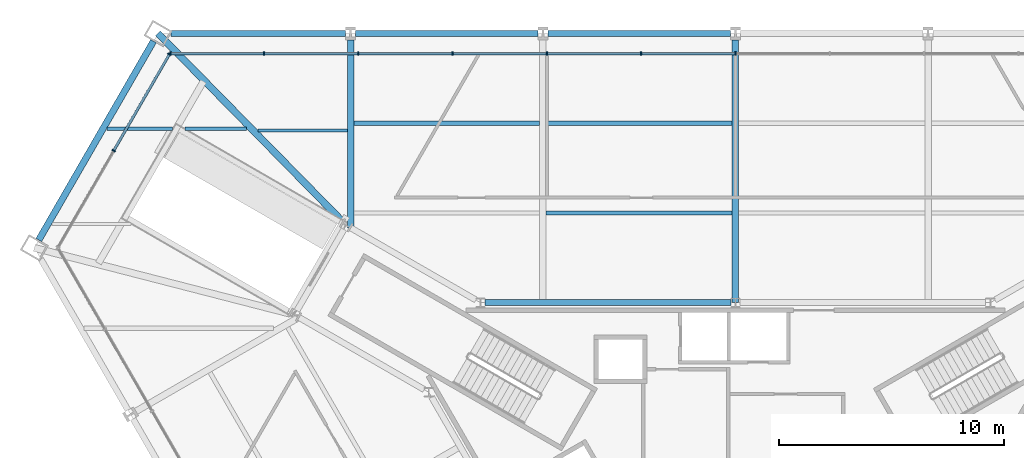
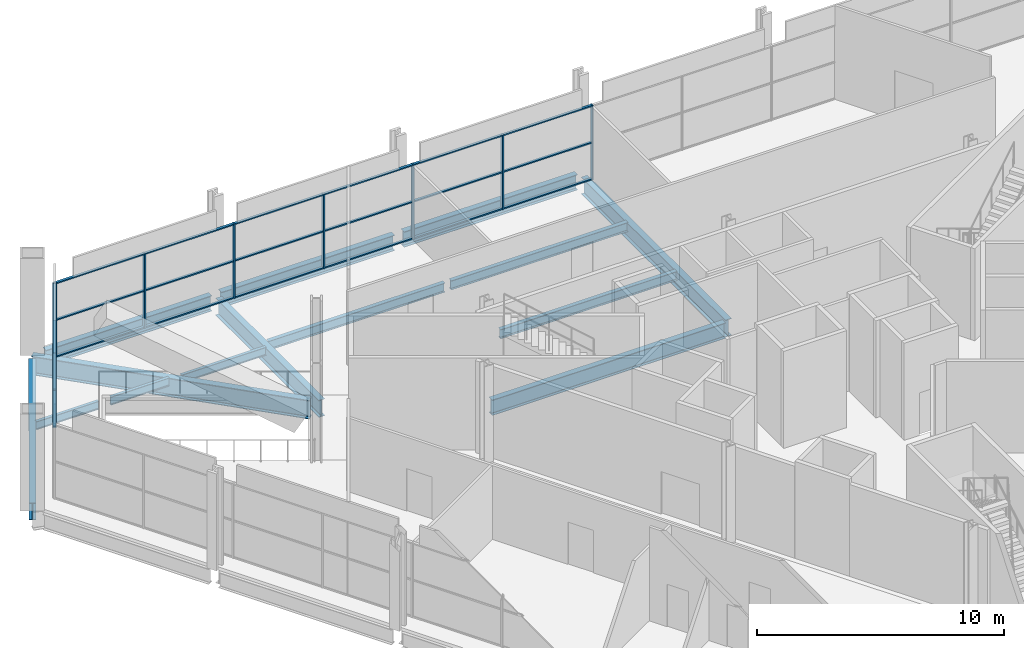
# One storey, part 7 of 18: 30 members, 14 beams, 2 elements without a shape of their own.
"""IFC4 building model written with IfcOpenShell, lengths in metres."""

from ifc_helpers import new_model, si_unit, direction, frame, origin, origin_2d, place, context, subcontext, project, spatial, rectangle, i_section, extrude, material, layer, layer_set, material_profile, profile_set, type_object, element, aggregate, save


model = new_model("IFC4")

# Units and contexts
model_context = context("Model", 3, precision=1e-05, world=origin(), true_north=direction((0.0, 1.0)))
body_context = subcontext(model_context, "Body", "Model", "MODEL_VIEW")
ifc_project = project(units=[si_unit("LENGTHUNIT", "METRE"), si_unit("AREAUNIT", "SQUARE_METRE"), si_unit("VOLUMEUNIT", "CUBIC_METRE"), si_unit("PLANEANGLEUNIT", "RADIAN"), si_unit("MASSUNIT", "GRAM", prefix="KILO")], contexts=[model_context])

# Site, building, storey
site_placement = place(None, origin())
site = spatial("IfcSite", under=ifc_project, at=site_placement, CompositionType="ELEMENT")
building_placement = place(site_placement, origin())
building = spatial("IfcBuilding", under=site, at=building_placement, Name="Verrane Prism Tower", CompositionType="ELEMENT")
storey_placement = place(building_placement, frame((0.0, 0.0, 22.39990234375)))
storey = spatial("IfcBuildingStorey", under=building, at=storey_placement, Name="L03", CompositionType="ELEMENT", Elevation=22.39990234375)

# Curtain wall, members
ifc_material_1 = material(Name="Aluminium and glass curtain wall", Category="aluminium")
ifc_layer = layer(ifc_material_1, 0.199951171875)
ifc_layer_set = layer_set([ifc_layer], Name="CWB-1 retail curtain wall")
curtain_wall_type = type_object("IfcCurtainWallType", Name="CWB-1 retail curtain wall", PredefinedType="NOTDEFINED", material=ifc_layer_set)
curtain_wall_1_placement = place(storey_placement, origin())
curtain_wall_1 = element("IfcCurtainWall", 1, at=curtain_wall_1_placement, inside=storey, type_object=curtain_wall_type, Name="Retail curtain wall L03 2", PredefinedType="NOTDEFINED")
ifc_material_2 = material(Name="Aluminium", Category="aluminium")
ifc_material_profile_1 = material_profile(ifc_material_2, rectangle(XDim=0.159912109375, YDim=0.06005859375, at=origin_2d()), Name="CWB-M 60x160 mullion")
ifc_profile_set_1 = profile_set([ifc_material_profile_1], Name="Aluminium")
member_type_1 = type_object("IfcMemberType", Name="CWB-M 60x160 mullion", PredefinedType="MULLION", material=ifc_profile_set_1)
member_1_placement = place(storey_placement, frame((0.0, 20.27001953125, 0.0), z_axis=(0.0, 0.0, 1.0), x_axis=(0.0, -1.0, 0.0)))
member_1 = element("IfcMember", 2, at=member_1_placement, type_object=member_type_1, Name="CWB32 mullion 7", PredefinedType="MULLION", context=body_context, shape_type="SweptSolid", body=[
    extrude(rectangle(XDim=0.159912109375, YDim=0.06005859375, at=origin_2d()), origin(), (0.0, 0.0, 1.0), 3.690185546875),
])
member_2_placement = place(storey_placement, frame((-4.19140625, 20.27001953125, 0.0), z_axis=(0.0, 0.0, 1.0), x_axis=(0.0, -1.0, 0.0)))
member_2 = element("IfcMember", 3, at=member_2_placement, type_object=member_type_1, Name="CWB32 mullion 8", PredefinedType="MULLION", context=body_context, shape_type="SweptSolid", body=[
    extrude(rectangle(XDim=0.159912109375, YDim=0.06005859375, at=origin_2d()), origin(), (0.0, 0.0, 1.0), 3.690185546875),
])
member_3_placement = place(storey_placement, frame((-8.382568359375, 20.27001953125, 0.0), z_axis=(0.0, 0.0, 1.0), x_axis=(0.0, -1.0, 0.0)))
member_3 = element("IfcMember", 4, at=member_3_placement, type_object=member_type_1, Name="CWB32 mullion 9", PredefinedType="MULLION", context=body_context, shape_type="SweptSolid", body=[
    extrude(rectangle(XDim=0.159912109375, YDim=0.06005859375, at=origin_2d()), origin(), (0.0, 0.0, 1.0), 3.690185546875),
])
member_4_placement = place(storey_placement, frame((-12.573974609375, 20.27001953125, 0.0), z_axis=(0.0, 0.0, 1.0), x_axis=(0.0, -1.0, 0.0)))
member_4 = element("IfcMember", 5, at=member_4_placement, type_object=member_type_1, Name="CWB32 mullion 10", PredefinedType="MULLION", context=body_context, shape_type="SweptSolid", body=[
    extrude(rectangle(XDim=0.159912109375, YDim=0.06005859375, at=origin_2d()), origin(), (0.0, 0.0, 1.0), 3.690185546875),
])
member_5_placement = place(storey_placement, frame((-16.76513671875, 20.27001953125, 0.0), z_axis=(0.0, 0.0, 1.0), x_axis=(0.0, -1.0, 0.0)))
member_5 = element("IfcMember", 6, at=member_5_placement, type_object=member_type_1, Name="CWB32 mullion 11", PredefinedType="MULLION", context=body_context, shape_type="SweptSolid", body=[
    extrude(rectangle(XDim=0.159912109375, YDim=0.06005859375, at=origin_2d()), origin(), (0.0, 0.0, 1.0), 3.690185546875),
])
member_6_placement = place(storey_placement, frame((-20.95654296875, 20.27001953125, 0.0), z_axis=(0.0, 0.0, 1.0), x_axis=(0.0, -1.0, 0.0)))
member_6 = element("IfcMember", 7, at=member_6_placement, type_object=member_type_1, Name="CWB32 mullion 12", PredefinedType="MULLION", context=body_context, shape_type="SweptSolid", body=[
    extrude(rectangle(XDim=0.159912109375, YDim=0.06005859375, at=origin_2d()), origin(), (0.0, 0.0, 1.0), 3.690185546875),
])
member_7_placement = place(storey_placement, frame((-25.117919921875, 20.27001953125, 0.0), z_axis=(0.0, 0.0, 1.0), x_axis=(0.0, -1.0, 0.0)))
member_7 = element("IfcMember", 8, at=member_7_placement, type_object=member_type_1, Name="CWB32 mullion 13", PredefinedType="MULLION", context=body_context, shape_type="SweptSolid", body=[
    extrude(rectangle(XDim=0.159912109375, YDim=0.06005859375, at=origin_2d()), origin(), (0.0, 0.0, 1.0), 3.690185546875),
])

curtain_wall_2_placement = place(storey_placement, origin())
curtain_wall_2 = element("IfcCurtainWall", 9, at=curtain_wall_2_placement, inside=storey, type_object=curtain_wall_type, Name="Retail curtain wall L03 3", PredefinedType="NOTDEFINED")
member_8_placement = place(storey_placement, frame((-25.162841796875, 20.244140625, 0.0), z_axis=(0.0, 0.0, 1.0), x_axis=(0.866025871, -0.499999190758, 0.0)))
member_8 = element("IfcMember", 10, at=member_8_placement, type_object=member_type_1, Name="CWB33 mullion 1", PredefinedType="MULLION", context=body_context, shape_type="SweptSolid", body=[
    extrude(rectangle(XDim=0.159912109375, YDim=0.06005859375, at=origin_2d()), origin(), (0.0, 0.0, 1.0), 3.690185546875),
])
member_9_placement = place(storey_placement, frame((-27.63818359375, 15.956787109375, 0.0), z_axis=(0.0, 0.0, 1.0), x_axis=(0.866025871, -0.499999190758, 0.0)))
member_9 = element("IfcMember", 11, at=member_9_placement, type_object=member_type_1, Name="CWB33 mullion 2", PredefinedType="MULLION", context=body_context, shape_type="SweptSolid", body=[
    extrude(rectangle(XDim=0.159912109375, YDim=0.06005859375, at=origin_2d()), origin(), (0.0, 0.0, 1.0), 3.690185546875),
])

# Member
ifc_material_3 = material(Name="Aluminium", Category="aluminium")
ifc_material_profile_2 = material_profile(ifc_material_3, rectangle(XDim=0.1201171875, YDim=0.06005859375, at=origin_2d()), Name="CWB-T 60x120 transom")
ifc_profile_set_2 = profile_set([ifc_material_profile_2], Name="Aluminium")
member_type_2 = type_object("IfcMemberType", Name="CWB-T 60x120 transom", PredefinedType="USERDEFINED", material=ifc_profile_set_2)
member_10_placement = place(storey_placement, frame((-0.030029296875, 20.27001953125, 0.030029296875), z_axis=(-1.0, 0.0, 0.0), x_axis=(0.0, -1.0, 0.0)))
member_10 = element("IfcMember", 12, at=member_10_placement, type_object=member_type_2, Name="CWB32 transom 7.1", ObjectType="TRANSOM", PredefinedType="USERDEFINED", context=body_context, shape_type="SweptSolid", body=[
    extrude(rectangle(XDim=0.1201171875, YDim=0.06005859375, at=origin_2d()), origin(), (0.0, 0.0, 1.0), 4.13134765625),
])

member_11_placement = place(storey_placement, frame((-0.030029296875, 20.27001953125, 1.84521484375), z_axis=(-1.0, 0.0, 0.0), x_axis=(0.0, -1.0, 0.0)))
member_11 = element("IfcMember", 13, at=member_11_placement, type_object=member_type_2, Name="CWB32 transom 7.2", ObjectType="TRANSOM", PredefinedType="USERDEFINED", context=body_context, shape_type="SweptSolid", body=[
    extrude(rectangle(XDim=0.1201171875, YDim=0.06005859375, at=origin_2d()), origin(), (0.0, 0.0, 1.0), 4.13134765625),
])

member_12_placement = place(storey_placement, frame((-0.030029296875, 20.27001953125, 3.66015625), z_axis=(-1.0, 0.0, 0.0), x_axis=(0.0, -1.0, 0.0)))
member_12 = element("IfcMember", 14, at=member_12_placement, type_object=member_type_2, Name="CWB32 transom 7.3", ObjectType="TRANSOM", PredefinedType="USERDEFINED", context=body_context, shape_type="SweptSolid", body=[
    extrude(rectangle(XDim=0.1201171875, YDim=0.06005859375, at=origin_2d()), origin(), (0.0, 0.0, 1.0), 4.13134765625),
])

member_13_placement = place(storey_placement, frame((-4.221435546875, 20.27001953125, 0.030029296875), z_axis=(-1.0, 0.0, 0.0), x_axis=(0.0, -1.0, 0.0)))
member_13 = element("IfcMember", 15, at=member_13_placement, type_object=member_type_2, Name="CWB32 transom 8.1", ObjectType="TRANSOM", PredefinedType="USERDEFINED", context=body_context, shape_type="SweptSolid", body=[
    extrude(rectangle(XDim=0.1201171875, YDim=0.06005859375, at=origin_2d()), origin(), (0.0, 0.0, 1.0), 4.131103515625),
])

member_14_placement = place(storey_placement, frame((-4.221435546875, 20.27001953125, 1.84521484375), z_axis=(-1.0, 0.0, 0.0), x_axis=(0.0, -1.0, 0.0)))
member_14 = element("IfcMember", 16, at=member_14_placement, type_object=member_type_2, Name="CWB32 transom 8.2", ObjectType="TRANSOM", PredefinedType="USERDEFINED", context=body_context, shape_type="SweptSolid", body=[
    extrude(rectangle(XDim=0.1201171875, YDim=0.06005859375, at=origin_2d()), origin(), (0.0, 0.0, 1.0), 4.131103515625),
])

member_15_placement = place(storey_placement, frame((-4.221435546875, 20.27001953125, 3.66015625), z_axis=(-1.0, 0.0, 0.0), x_axis=(0.0, -1.0, 0.0)))
member_15 = element("IfcMember", 17, at=member_15_placement, type_object=member_type_2, Name="CWB32 transom 8.3", ObjectType="TRANSOM", PredefinedType="USERDEFINED", context=body_context, shape_type="SweptSolid", body=[
    extrude(rectangle(XDim=0.1201171875, YDim=0.06005859375, at=origin_2d()), origin(), (0.0, 0.0, 1.0), 4.131103515625),
])

member_16_placement = place(storey_placement, frame((-8.41259765625, 20.27001953125, 0.030029296875), z_axis=(-1.0, 0.0, 0.0), x_axis=(0.0, -1.0, 0.0)))
member_16 = element("IfcMember", 18, at=member_16_placement, type_object=member_type_2, Name="CWB32 transom 9.1", ObjectType="TRANSOM", PredefinedType="USERDEFINED", context=body_context, shape_type="SweptSolid", body=[
    extrude(rectangle(XDim=0.1201171875, YDim=0.06005859375, at=origin_2d()), origin(), (0.0, 0.0, 1.0), 4.13134765625),
])

member_17_placement = place(storey_placement, frame((-8.41259765625, 20.27001953125, 1.84521484375), z_axis=(-1.0, 0.0, 0.0), x_axis=(0.0, -1.0, 0.0)))
member_17 = element("IfcMember", 19, at=member_17_placement, type_object=member_type_2, Name="CWB32 transom 9.2", ObjectType="TRANSOM", PredefinedType="USERDEFINED", context=body_context, shape_type="SweptSolid", body=[
    extrude(rectangle(XDim=0.1201171875, YDim=0.06005859375, at=origin_2d()), origin(), (0.0, 0.0, 1.0), 4.13134765625),
])

member_18_placement = place(storey_placement, frame((-8.41259765625, 20.27001953125, 3.66015625), z_axis=(-1.0, 0.0, 0.0), x_axis=(0.0, -1.0, 0.0)))
member_18 = element("IfcMember", 20, at=member_18_placement, type_object=member_type_2, Name="CWB32 transom 9.3", ObjectType="TRANSOM", PredefinedType="USERDEFINED", context=body_context, shape_type="SweptSolid", body=[
    extrude(rectangle(XDim=0.1201171875, YDim=0.06005859375, at=origin_2d()), origin(), (0.0, 0.0, 1.0), 4.13134765625),
])

member_19_placement = place(storey_placement, frame((-12.60400390625, 20.27001953125, 0.030029296875), z_axis=(-1.0, 0.0, 0.0), x_axis=(0.0, -1.0, 0.0)))
member_19 = element("IfcMember", 21, at=member_19_placement, type_object=member_type_2, Name="CWB32 transom 10.1", ObjectType="TRANSOM", PredefinedType="USERDEFINED", context=body_context, shape_type="SweptSolid", body=[
    extrude(rectangle(XDim=0.1201171875, YDim=0.06005859375, at=origin_2d()), origin(), (0.0, 0.0, 1.0), 4.13134765625),
])

member_20_placement = place(storey_placement, frame((-12.60400390625, 20.27001953125, 1.84521484375), z_axis=(-1.0, 0.0, 0.0), x_axis=(0.0, -1.0, 0.0)))
member_20 = element("IfcMember", 22, at=member_20_placement, type_object=member_type_2, Name="CWB32 transom 10.2", ObjectType="TRANSOM", PredefinedType="USERDEFINED", context=body_context, shape_type="SweptSolid", body=[
    extrude(rectangle(XDim=0.1201171875, YDim=0.06005859375, at=origin_2d()), origin(), (0.0, 0.0, 1.0), 4.13134765625),
])

member_21_placement = place(storey_placement, frame((-12.60400390625, 20.27001953125, 3.66015625), z_axis=(-1.0, 0.0, 0.0), x_axis=(0.0, -1.0, 0.0)))
member_21 = element("IfcMember", 23, at=member_21_placement, type_object=member_type_2, Name="CWB32 transom 10.3", ObjectType="TRANSOM", PredefinedType="USERDEFINED", context=body_context, shape_type="SweptSolid", body=[
    extrude(rectangle(XDim=0.1201171875, YDim=0.06005859375, at=origin_2d()), origin(), (0.0, 0.0, 1.0), 4.13134765625),
])

member_22_placement = place(storey_placement, frame((-16.795166015625, 20.27001953125, 0.030029296875), z_axis=(-1.0, 0.0, 0.0), x_axis=(0.0, -1.0, 0.0)))
member_22 = element("IfcMember", 24, at=member_22_placement, type_object=member_type_2, Name="CWB32 transom 11.1", ObjectType="TRANSOM", PredefinedType="USERDEFINED", context=body_context, shape_type="SweptSolid", body=[
    extrude(rectangle(XDim=0.1201171875, YDim=0.06005859375, at=origin_2d()), origin(), (0.0, 0.0, 1.0), 4.13134765625),
])

member_23_placement = place(storey_placement, frame((-16.795166015625, 20.27001953125, 1.84521484375), z_axis=(-1.0, 0.0, 0.0), x_axis=(0.0, -1.0, 0.0)))
member_23 = element("IfcMember", 25, at=member_23_placement, type_object=member_type_2, Name="CWB32 transom 11.2", ObjectType="TRANSOM", PredefinedType="USERDEFINED", context=body_context, shape_type="SweptSolid", body=[
    extrude(rectangle(XDim=0.1201171875, YDim=0.06005859375, at=origin_2d()), origin(), (0.0, 0.0, 1.0), 4.13134765625),
])

member_24_placement = place(storey_placement, frame((-16.795166015625, 20.27001953125, 3.66015625), z_axis=(-1.0, 0.0, 0.0), x_axis=(0.0, -1.0, 0.0)))
member_24 = element("IfcMember", 26, at=member_24_placement, type_object=member_type_2, Name="CWB32 transom 11.3", ObjectType="TRANSOM", PredefinedType="USERDEFINED", context=body_context, shape_type="SweptSolid", body=[
    extrude(rectangle(XDim=0.1201171875, YDim=0.06005859375, at=origin_2d()), origin(), (0.0, 0.0, 1.0), 4.13134765625),
])

member_25_placement = place(storey_placement, frame((-20.986572265625, 20.27001953125, 0.030029296875), z_axis=(-1.0, 0.0, 0.0), x_axis=(0.0, -1.0, 0.0)))
member_25 = element("IfcMember", 27, at=member_25_placement, type_object=member_type_2, Name="CWB32 transom 12.1", ObjectType="TRANSOM", PredefinedType="USERDEFINED", context=body_context, shape_type="SweptSolid", body=[
    extrude(rectangle(XDim=0.1201171875, YDim=0.06005859375, at=origin_2d()), origin(), (0.0, 0.0, 1.0), 4.101318359375),
])

member_26_placement = place(storey_placement, frame((-20.986572265625, 20.27001953125, 1.84521484375), z_axis=(-1.0, 0.0, 0.0), x_axis=(0.0, -1.0, 0.0)))
member_26 = element("IfcMember", 28, at=member_26_placement, type_object=member_type_2, Name="CWB32 transom 12.2", ObjectType="TRANSOM", PredefinedType="USERDEFINED", context=body_context, shape_type="SweptSolid", body=[
    extrude(rectangle(XDim=0.1201171875, YDim=0.06005859375, at=origin_2d()), origin(), (0.0, 0.0, 1.0), 4.101318359375),
])

member_27_placement = place(storey_placement, frame((-20.986572265625, 20.27001953125, 3.66015625), z_axis=(-1.0, 0.0, 0.0), x_axis=(0.0, -1.0, 0.0)))
member_27 = element("IfcMember", 29, at=member_27_placement, type_object=member_type_2, Name="CWB32 transom 12.3", ObjectType="TRANSOM", PredefinedType="USERDEFINED", context=body_context, shape_type="SweptSolid", body=[
    extrude(rectangle(XDim=0.1201171875, YDim=0.06005859375, at=origin_2d()), origin(), (0.0, 0.0, 1.0), 4.101318359375),
])

aggregate(curtain_wall_1, [member_1, member_2, member_3, member_4, member_5, member_6, member_7, member_10, member_11, member_12, member_13, member_14, member_15, member_16, member_17, member_18, member_19, member_20, member_21, member_22, member_23, member_24, member_25, member_26, member_27])

member_28_placement = place(storey_placement, frame((-25.177978515625, 20.218017578125, 0.030029296875), z_axis=(-0.499988949793, -0.86603178353, 0.0), x_axis=(0.86603178353, -0.499988949793, 0.0)))
member_28 = element("IfcMember", 30, at=member_28_placement, type_object=member_type_2, Name="CWB33 transom 1.1", ObjectType="TRANSOM", PredefinedType="USERDEFINED", context=body_context, shape_type="SweptSolid", body=[
    extrude(rectangle(XDim=0.1201171875, YDim=0.06005859375, at=origin_2d()), origin(), (0.0, 0.0, 1.0), 4.89013671875),
])

member_29_placement = place(storey_placement, frame((-25.177978515625, 20.218017578125, 1.84521484375), z_axis=(-0.499988949793, -0.86603178353, 0.0), x_axis=(0.86603178353, -0.499988949793, 0.0)))
member_29 = element("IfcMember", 31, at=member_29_placement, type_object=member_type_2, Name="CWB33 transom 1.2", ObjectType="TRANSOM", PredefinedType="USERDEFINED", context=body_context, shape_type="SweptSolid", body=[
    extrude(rectangle(XDim=0.1201171875, YDim=0.06005859375, at=origin_2d()), origin(), (0.0, 0.0, 1.0), 4.89013671875),
])

member_30_placement = place(storey_placement, frame((-25.177978515625, 20.218017578125, 3.66015625), z_axis=(-0.499988949793, -0.86603178353, 0.0), x_axis=(0.86603178353, -0.499988949793, 0.0)))
member_30 = element("IfcMember", 32, at=member_30_placement, type_object=member_type_2, Name="CWB33 transom 1.3", ObjectType="TRANSOM", PredefinedType="USERDEFINED", context=body_context, shape_type="SweptSolid", body=[
    extrude(rectangle(XDim=0.1201171875, YDim=0.06005859375, at=origin_2d()), origin(), (0.0, 0.0, 1.0), 4.89013671875),
])

aggregate(curtain_wall_2, [member_8, member_9, member_28, member_29, member_30])

# Beams
ifc_material_4 = material(Name="Steel A992", Category="steel")
ifc_material_profile_3 = material_profile(ifc_material_4, i_section(OverallWidth=0.2919921875, OverallDepth=0.845703125, WebThickness=0.015380859375, FlangeThickness=0.0244140625, FilletRadius=0.017822265625, at=origin_2d()), Name="W33x141")
ifc_profile_set_3 = profile_set([ifc_material_profile_3], Name="Steel A992")
beam_type_1 = type_object("IfcBeamType", Name="Chamfer spandrel beam W33x141", PredefinedType="SPANDREL", material=ifc_profile_set_3)
beam_1_placement = place(storey_placement, frame((-25.869873046875, 20.823486328125, -0.582763671875), z_axis=(-0.49986813558, -0.866101522359, 0.0), x_axis=(0.866101522359, -0.49986813558, 0.0)))
element("IfcBeam", 33, at=beam_1_placement, inside=storey, type_object=beam_type_1, Name="Chamfer spandrel beam L03", PredefinedType="SPANDREL", context=body_context, shape_type="SweptSolid", body=[
    extrude(i_section(OverallWidth=0.2919921875, OverallDepth=0.845703125, WebThickness=0.015380859375, FlangeThickness=0.0244140625, FilletRadius=0.017822265625, at=origin_2d()), origin(), (0.0, 0.0, 1.0), 10.203369140625),
])
ifc_material_5 = material(Name="Steel A992", Category="steel")
ifc_material_profile_4 = material_profile(ifc_material_5, i_section(OverallWidth=0.2666015625, OverallDepth=0.76708984375, WebThickness=0.014892578125, FlangeThickness=0.023681640625, FilletRadius=0.0166015625, at=origin_2d()), Name="W30x124")
ifc_profile_set_4 = profile_set([ifc_material_profile_4], Name="Steel A992")
beam_type_2 = type_object("IfcBeamType", Name="Core ring girder W30x124", PredefinedType="BEAM", material=ifc_profile_set_4)
beam_2_placement = place(storey_placement, frame((-0.205810546875, 9.199951171875, -0.63330078125), z_axis=(-1.0, 0.0, 0.0), x_axis=(0.0, -1.0, 0.0)))
element("IfcBeam", 34, at=beam_2_placement, inside=storey, type_object=beam_type_2, Name="Core ring girder L03", PredefinedType="BEAM", context=body_context, shape_type="SweptSolid", body=[
    extrude(i_section(OverallWidth=0.2666015625, OverallDepth=0.76708984375, WebThickness=0.014892578125, FlangeThickness=0.023681640625, FilletRadius=0.0166015625, at=origin_2d()), origin(), (0.0, 0.0, 1.0), 10.91845703125),
])
ifc_material_6 = material(Name="Steel A992", Category="steel")
ifc_material_profile_5 = material_profile(ifc_material_6, i_section(OverallWidth=0.307373046875, OverallDepth=0.927001953125, WebThickness=0.01953125, FlangeThickness=0.031982421875, FilletRadius=0.01904296875, at=origin_2d()), Name="W36x194")
ifc_profile_set_5 = profile_set([ifc_material_profile_5], Name="Steel A992")
beam_type_3 = type_object("IfcBeamType", Name="Corner girder W36x194", PredefinedType="BEAM", material=ifc_profile_set_5)
beam_3_placement = place(storey_placement, frame((-25.66845703125, 21.16845703125, -0.68359375), z_axis=(0.700377975453, -0.713772156574, 0.0), x_axis=(0.713772156574, 0.700377975453, 0.0)))
element("IfcBeam", 35, at=beam_3_placement, inside=storey, type_object=beam_type_3, Name="Corner girder L03", PredefinedType="BEAM", context=body_context, shape_type="SweptSolid", body=[
    extrude(i_section(OverallWidth=0.307373046875, OverallDepth=0.927001953125, WebThickness=0.01953125, FlangeThickness=0.031982421875, FilletRadius=0.01904296875, at=origin_2d()), origin(), (0.0, 0.0, 1.0), 11.701904296875),
])
ifc_material_7 = material(Name="Steel A992", Category="steel")
ifc_material_profile_6 = material_profile(ifc_material_7, i_section(OverallWidth=0.140380859375, OverallDepth=0.40380859375, WebThickness=0.007080078125, FlangeThickness=0.01123046875, FilletRadius=0.01025390625, at=origin_2d()), Name="W16x31")
ifc_profile_set_6 = profile_set([ifc_material_profile_6], Name="Steel A992")
beam_type_4 = type_object("IfcBeamType", Name="Floor beam W16x31", PredefinedType="BEAM", material=ifc_profile_set_6)
beam_4_placement = place(storey_placement, frame((-21.21728515625, 16.85009765625, -0.36181640625), z_axis=(1.0, 0.0, 0.0), x_axis=(0.0, 1.0, 0.0)))
element("IfcBeam", 36, at=beam_4_placement, inside=storey, type_object=beam_type_4, Name="Floor beam L03", PredefinedType="BEAM", context=body_context, shape_type="SweptSolid", body=[
    extrude(i_section(OverallWidth=0.140380859375, OverallDepth=0.40380859375, WebThickness=0.007080078125, FlangeThickness=0.01123046875, FilletRadius=0.01025390625, at=origin_2d()), origin(), (0.0, 0.0, 1.0), 3.961181640625),
])
beam_5_placement = place(storey_placement, frame((-27.945556640625, 16.93505859375, -0.36181640625), z_axis=(1.0, 0.0, 0.0), x_axis=(0.0, 1.0, 0.0)))
element("IfcBeam", 37, at=beam_5_placement, inside=storey, type_object=beam_type_4, Name="Floor beam L03", PredefinedType="BEAM", context=body_context, shape_type="SweptSolid", body=[
    extrude(i_section(OverallWidth=0.140380859375, OverallDepth=0.40380859375, WebThickness=0.007080078125, FlangeThickness=0.01123046875, FilletRadius=0.01025390625, at=origin_2d()), origin(), (0.0, 0.0, 1.0), 2.9150390625),
])
beam_6_placement = place(storey_placement, frame((-24.467529296875, 16.93505859375, -0.36181640625), z_axis=(1.0, 0.0, 0.0), x_axis=(0.0, 1.0, 0.0)))
element("IfcBeam", 38, at=beam_6_placement, inside=storey, type_object=beam_type_4, Name="Floor beam L03", PredefinedType="BEAM", context=body_context, shape_type="SweptSolid", body=[
    extrude(i_section(OverallWidth=0.140380859375, OverallDepth=0.40380859375, WebThickness=0.007080078125, FlangeThickness=0.01123046875, FilletRadius=0.01025390625, at=origin_2d()), origin(), (0.0, 0.0, 1.0), 2.73681640625),
])
ifc_material_8 = material(Name="Steel A992", Category="steel")
ifc_material_profile_7 = material_profile(ifc_material_8, i_section(OverallWidth=0.1904296875, OverallDepth=0.457275390625, WebThickness=0.009033203125, FlangeThickness=0.014404296875, FilletRadius=0.01025390625, at=origin_2d()), Name="W18x50")
ifc_profile_set_7 = profile_set([ifc_material_profile_7], Name="Steel A992")
beam_type_5 = type_object("IfcBeamType", Name="Floor beam W18x50", PredefinedType="BEAM", material=ifc_profile_set_7)
for number, where, z_axis, x_axis, name in (
    (39, (-8.4140625, 13.18994140625, -0.388427734375), (1.0, 0.0, 0.0), (0.0, 1.0, 0.0), "Floor beam L03"),
    (40, (-8.4140625, 17.179931640625, -0.388427734375), (1.0, 0.0, 0.0), (0.0, 1.0, 0.0), "Floor beam L03"),
):
    element("IfcBeam", number, at=place(storey_placement, frame(where, z_axis=z_axis, x_axis=x_axis)), inside=storey, type_object=beam_type_5, Name=name, PredefinedType="BEAM", context=body_context, shape_type="SweptSolid", body=[
        extrude(i_section(OverallWidth=0.1904296875, OverallDepth=0.457275390625, WebThickness=0.009033203125, FlangeThickness=0.014404296875, FilletRadius=0.01025390625, at=origin_2d()), origin(), (0.0, 0.0, 1.0), 8.26806640625),
    ])
beam_7_placement = place(storey_placement, frame((-16.964111328125, 17.179931640625, -0.388427734375), z_axis=(1.0, 0.0, 0.0), x_axis=(0.0, 1.0, 0.0)))
element("IfcBeam", 41, at=beam_7_placement, inside=storey, type_object=beam_type_5, Name="Floor beam L03", PredefinedType="BEAM", context=body_context, shape_type="SweptSolid", body=[
    extrude(i_section(OverallWidth=0.1904296875, OverallDepth=0.457275390625, WebThickness=0.009033203125, FlangeThickness=0.014404296875, FilletRadius=0.01025390625, at=origin_2d()), origin(), (0.0, 0.0, 1.0), 8.258056640625),
])
ifc_material_9 = material(Name="Steel A992", Category="steel")
ifc_material_profile_8 = material_profile(ifc_material_9, i_section(OverallWidth=0.2919921875, OverallDepth=0.845703125, WebThickness=0.015380859375, FlangeThickness=0.0244140625, FilletRadius=0.017822265625, at=origin_2d()), Name="W33x141")
ifc_profile_set_8 = profile_set([ifc_material_profile_8], Name="Steel A992")
beam_type_6 = type_object("IfcBeamType", Name="Radial girder W33x141", PredefinedType="BEAM", material=ifc_profile_set_8)
beam_8_placement = place(storey_placement, frame((0.0, 20.885498046875, -0.642822265625), z_axis=(0.0, -1.0, 0.0), x_axis=(1.0, 0.0, 0.0)))
element("IfcBeam", 42, at=beam_8_placement, inside=storey, type_object=beam_type_6, Name="Radial girder L03", PredefinedType="BEAM", context=body_context, shape_type="SweptSolid", body=[
    extrude(i_section(OverallWidth=0.2919921875, OverallDepth=0.845703125, WebThickness=0.015380859375, FlangeThickness=0.0244140625, FilletRadius=0.017822265625, at=origin_2d()), origin(), (0.0, 0.0, 1.0), 11.685546875),
])
beam_9_placement = place(storey_placement, frame((-17.110107421875, 20.885498046875, -0.642822265625), z_axis=(0.0, -1.0, 0.0), x_axis=(1.0, 0.0, 0.0)))
element("IfcBeam", 43, at=beam_9_placement, inside=storey, type_object=beam_type_6, Name="Radial girder L03", PredefinedType="BEAM", context=body_context, shape_type="SweptSolid", body=[
    extrude(i_section(OverallWidth=0.2919921875, OverallDepth=0.845703125, WebThickness=0.015380859375, FlangeThickness=0.0244140625, FilletRadius=0.017822265625, at=origin_2d()), origin(), (0.0, 0.0, 1.0), 8.35498046875),
])
ifc_material_10 = material(Name="Steel A992", Category="steel")
ifc_material_profile_9 = material_profile(ifc_material_10, i_section(OverallWidth=0.2666015625, OverallDepth=0.76708984375, WebThickness=0.014892578125, FlangeThickness=0.023681640625, FilletRadius=0.0166015625, at=origin_2d()), Name="W30x124")
ifc_profile_set_9 = profile_set([ifc_material_profile_9], Name="Steel A992")
beam_type_7 = type_object("IfcBeamType", Name="Spandrel beam W30x124", PredefinedType="SPANDREL", material=ifc_profile_set_9)
beam_10_placement = place(storey_placement, frame((-0.227294921875, 21.169921875, -0.54345703125), z_axis=(-1.0, 0.0, 0.0), x_axis=(0.0, -1.0, 0.0)))
element("IfcBeam", 44, at=beam_10_placement, inside=storey, type_object=beam_type_7, Name="Spandrel beam L03", PredefinedType="SPANDREL", context=body_context, shape_type="SweptSolid", body=[
    extrude(i_section(OverallWidth=0.2666015625, OverallDepth=0.76708984375, WebThickness=0.014892578125, FlangeThickness=0.023681640625, FilletRadius=0.0166015625, at=origin_2d()), origin(), (0.0, 0.0, 1.0), 8.10546875),
])
beam_11_placement = place(storey_placement, frame((-8.787353515625, 21.169921875, -0.54345703125), z_axis=(-1.0, 0.0, 0.0), x_axis=(0.0, -1.0, 0.0)))
element("IfcBeam", 45, at=beam_11_placement, inside=storey, type_object=beam_type_7, Name="Spandrel beam L03", PredefinedType="SPANDREL", context=body_context, shape_type="SweptSolid", body=[
    extrude(i_section(OverallWidth=0.2666015625, OverallDepth=0.76708984375, WebThickness=0.014892578125, FlangeThickness=0.023681640625, FilletRadius=0.0166015625, at=origin_2d()), origin(), (0.0, 0.0, 1.0), 8.095458984375),
])
beam_12_placement = place(storey_placement, frame((-17.33740234375, 21.169921875, -0.54345703125), z_axis=(-1.0, 0.0, 0.0), x_axis=(0.0, -1.0, 0.0)))
element("IfcBeam", 46, at=beam_12_placement, inside=storey, type_object=beam_type_7, Name="Spandrel beam L03", PredefinedType="SPANDREL", context=body_context, shape_type="SweptSolid", body=[
    extrude(i_section(OverallWidth=0.2666015625, OverallDepth=0.76708984375, WebThickness=0.014892578125, FlangeThickness=0.023681640625, FilletRadius=0.0166015625, at=origin_2d()), origin(), (0.0, 0.0, 1.0), 7.755126953125),
])

save(model, "model.ifc")
